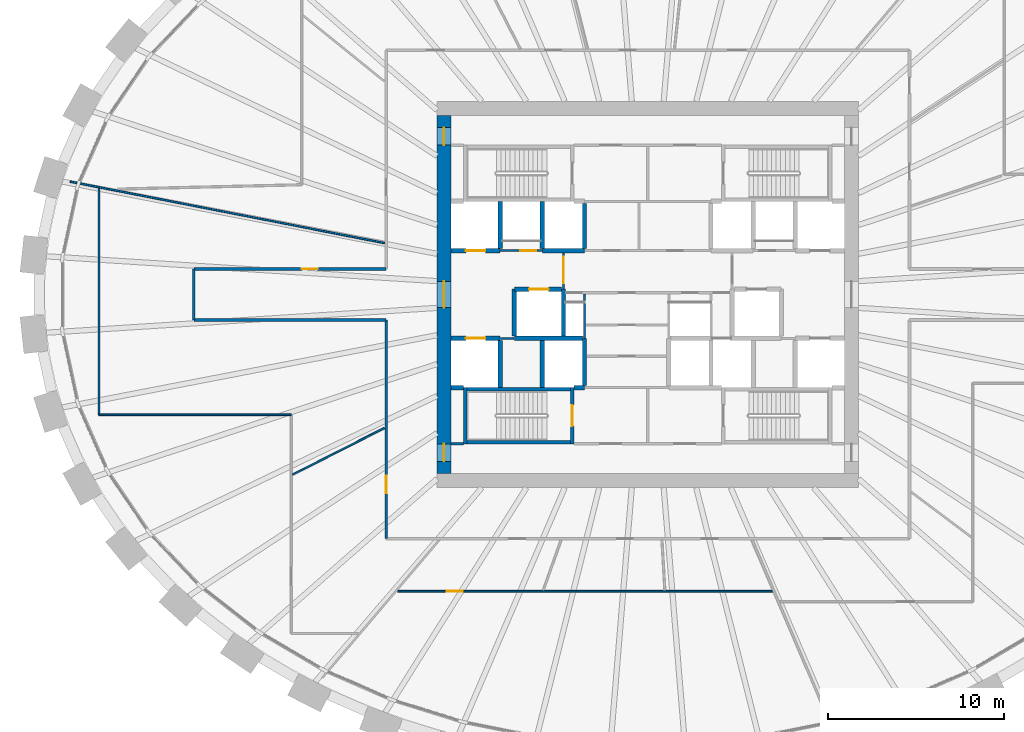
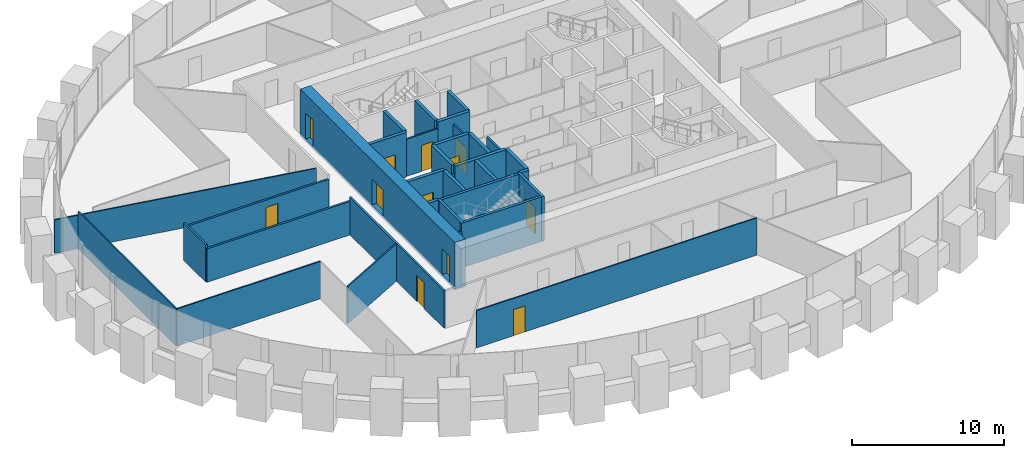
# One storey, part 6 of 11: 34 walls, 12 doors, 12 openings.
"""IFC4 building model written with IfcOpenShell, lengths in metres."""

from ifc_helpers import new_model, si_unit, direction, frame, frame_2d, origin, place, context, subcontext, project, spatial, rectangle, extrude, source, transform, mapped, material, layer, layer_set, type_object, element, fill, save


model = new_model("IFC4")

# Units and contexts
model_context = context("Model", 3, precision=1e-05, world=origin(), true_north=direction((0.0, 1.0)))
body_context = subcontext(model_context, "Body", "Model", "MODEL_VIEW")
ifc_project = project(units=[si_unit("LENGTHUNIT", "METRE"), si_unit("AREAUNIT", "SQUARE_METRE"), si_unit("VOLUMEUNIT", "CUBIC_METRE"), si_unit("PLANEANGLEUNIT", "RADIAN"), si_unit("MASSUNIT", "GRAM", prefix="KILO")], contexts=[model_context])

# Site, building, storey
site_placement = place(None, origin())
site = spatial("IfcSite", under=ifc_project, at=site_placement, CompositionType="ELEMENT")
building_placement = place(site_placement, origin())
building = spatial("IfcBuilding", under=site, at=building_placement, Name="Embergate Tower", CompositionType="ELEMENT")
storey_placement = place(building_placement, frame((0.0, 0.0, 230.699951171875)))
storey = spatial("IfcBuildingStorey", under=building, at=storey_placement, Name="L53", CompositionType="ELEMENT", Elevation=230.699951171875)

# Wall, openings, doors
ifc_material_1 = material(Name="Concrete C70", Category="concrete")
ifc_layer_1 = layer(ifc_material_1, 0.800048828125)
ifc_layer_set_1 = layer_set([ifc_layer_1], Name="Concrete C70")
wall_type_1 = type_object("IfcWallType", Name="Core outer wall C70 800", PredefinedType="SHEAR", material=ifc_layer_set_1)
shared_shape_1 = source(origin(), body_context, "Body", "SweptSolid", [
    extrude(rectangle(XDim=20.39990234375, YDim=0.800048828125, at=frame_2d((10.199951171875, 0.0))), origin(), (0.0, 0.0, 1.0), 3.800048828125),
])
wall_1_placement = place(storey_placement, frame((-11.60009765625, -10.199951171875, -0.199951171875), z_axis=(0.0, 0.0, 1.0), x_axis=(0.0, 1.0, 0.0)))
wall_1 = element("IfcWall", 1, at=wall_1_placement, inside=storey, type_object=wall_type_1, Name="CW-L53-W", PredefinedType="SHEAR", context=body_context, shape_type="MappedRepresentation", body=[
    mapped(shared_shape_1, transform((0.0, 0.0, 0.0))),
])
shared_shape_2 = source(origin(), body_context, "Body", "SweptSolid", [
    extrude(rectangle(XDim=1.0, YDim=2.10009765625, at=frame_2d((0.5, 1.050048828125))), frame((0.0, 0.409912109375, 0.0), z_axis=(0.0, -1.0, 0.0), x_axis=(1.0, 0.0, 0.0)), (0.0, 0.0, 1.0), 0.820068359375),
])
opening_1_placement = place(wall_1_placement, frame((18.699951171875, 0.0, 0.199951171875)))
opening_1 = element("IfcOpeningElement", 2, at=opening_1_placement, cuts=wall_1, Name="Opening IF-1d", PredefinedType="OPENING", context=body_context, shape_type="MappedRepresentation", body=[
    mapped(shared_shape_2, transform((0.0, 0.0, 0.0))),
])
opening_2_placement = place(wall_1_placement, frame((0.699951171875, 0.0, 0.199951171875)))
opening_2 = element("IfcOpeningElement", 3, at=opening_2_placement, cuts=wall_1, Name="Opening IF-1d", PredefinedType="OPENING", context=body_context, shape_type="MappedRepresentation", body=[
    mapped(shared_shape_2, transform((0.0, 0.0, 0.0))),
])
shared_shape_3 = source(origin(), body_context, "Body", "SweptSolid", [
    extrude(rectangle(XDim=1.5, YDim=2.10009765625, at=frame_2d((0.75, 1.050048828125))), frame((0.0, 0.409912109375, 0.0), z_axis=(0.0, -1.0, 0.0), x_axis=(1.0, 0.0, 0.0)), (0.0, 0.0, 1.0), 0.820068359375),
])
opening_3_placement = place(wall_1_placement, frame((9.449951171875, 0.0, 0.199951171875)))
opening_3 = element("IfcOpeningElement", 4, at=opening_3_placement, cuts=wall_1, Name="Opening IF-3", PredefinedType="OPENING", context=body_context, shape_type="MappedRepresentation", body=[
    mapped(shared_shape_3, transform((0.0, 0.0, 0.0))),
])
ifc_material_2 = material(Name="Lobby fire door pair 1500")
door_type_1 = type_object("IfcDoorType", Name="Lobby fire door pair 1500", OperationType="DOUBLE_DOOR_SINGLE_SWING", PredefinedType="DOOR", material=ifc_material_2)
shared_shape_4 = source(origin(), body_context, "Body", "SweptSolid", [
    extrude(rectangle(XDim=1.5, YDim=2.10009765625, at=frame_2d((0.75, 1.050048828125))), frame((0.0, 0.02490234375, 0.0), z_axis=(0.0, -1.0, 0.0), x_axis=(1.0, 0.0, 0.0)), (0.0, 0.0, 1.0), 0.050048828125),
])
door_1_placement = place(opening_3_placement, origin())
door_1 = element("IfcDoor", 5, at=door_1_placement, inside=storey, type_object=door_type_1, Name="IF-3 door", OperationType="DOUBLE_DOOR_SINGLE_SWING", OverallHeight=2.10009765625, OverallWidth=1.5, PredefinedType="DOOR", context=body_context, shape_type="MappedRepresentation", body=[
    mapped(shared_shape_4, transform((0.0, 0.0, 0.0))),
])
fill(opening_3, door_1)
ifc_material_3 = material(Name="Escape fire door 1000")
door_type_2 = type_object("IfcDoorType", Name="Escape fire door 1000", OperationType="SINGLE_SWING_LEFT", PredefinedType="DOOR", material=ifc_material_3)
shared_shape_5 = source(origin(), body_context, "Body", "SweptSolid", [
    extrude(rectangle(XDim=1.0, YDim=2.10009765625, at=frame_2d((0.5, 1.050048828125))), frame((0.0, 0.02490234375, 0.0), z_axis=(0.0, -1.0, 0.0), x_axis=(1.0, 0.0, 0.0)), (0.0, 0.0, 1.0), 0.050048828125),
])
door_2_placement = place(opening_1_placement, origin())
door_2 = element("IfcDoor", 6, at=door_2_placement, inside=storey, type_object=door_type_2, Name="IF-1 door", OperationType="SINGLE_SWING_RIGHT", OverallHeight=2.10009765625, OverallWidth=1.0, PredefinedType="DOOR", context=body_context, shape_type="MappedRepresentation", body=[
    mapped(shared_shape_5, transform((0.0, 0.0, 0.0))),
])
fill(opening_1, door_2)
door_3_placement = place(opening_2_placement, origin())
door_3 = element("IfcDoor", 7, at=door_3_placement, inside=storey, type_object=door_type_2, Name="IF-1 door", OperationType="SINGLE_SWING_RIGHT", OverallHeight=2.10009765625, OverallWidth=1.0, PredefinedType="DOOR", context=body_context, shape_type="MappedRepresentation", body=[
    mapped(shared_shape_5, transform((0.0, 0.0, 0.0))),
])
fill(opening_2, door_3)

# Walls
ifc_material_4 = material(Name="Concrete C50", Category="concrete")
ifc_layer_2 = layer(ifc_material_4, 0.25)
ifc_layer_set_2 = layer_set([ifc_layer_2], Name="Concrete C50")
wall_type_2 = type_object("IfcWallType", Name="Hoistway wall reinforced concrete 250", PredefinedType="SHEAR", material=ifc_layer_set_2)
shared_shape_6 = source(origin(), body_context, "Body", "SweptSolid", [
    extrude(rectangle(XDim=2.675048828125, YDim=0.25, at=frame_2d((1.33740234375, 0.0))), origin(), (0.0, 0.0, 1.0), 3.60009765625),
])
for number, where, z_axis, x_axis, name in (
    (8, (-8.39990234375, 2.625, 0.0), (0.0, 0.0, 1.0), (0.0, 1.0, 0.0), "HW-1 wall"),
    (9, (-6.0, 2.625, 0.0), (0.0, 0.0, 1.0), (0.0, 1.0, 0.0), "HW-1 wall"),
    (10, (-3.60009765625, -5.175048828125, 0.0), (0.0, 0.0, 1.0), (0.0, 1.0, 0.0), "HW-1 wall"),
    (11, (-4.800048828125, 0.300048828125, 0.0), (0.0, 0.0, 1.0), (0.0, -1.0, 0.0), "HW-1 wall"),
):
    element("IfcWall", number, at=place(storey_placement, frame(where, z_axis=z_axis, x_axis=x_axis)), inside=storey, type_object=wall_type_2, Name=name, PredefinedType="SHEAR", context=body_context, shape_type="MappedRepresentation", body=[
        mapped(shared_shape_6, transform((0.0, 0.0, 0.0))),
    ])

# Wall, opening, door
wall_2_placement = place(storey_placement, frame((-4.925048828125, 0.300048828125, 0.0), z_axis=(0.0, 0.0, 1.0), x_axis=(-1.0, 0.0, 0.0)))
wall_2 = element("IfcWall", 12, at=wall_2_placement, inside=storey, type_object=wall_type_2, Name="HW-1 wall", PredefinedType="SHEAR", context=body_context, shape_type="MappedRepresentation", body=[
    mapped(shared_shape_6, transform((0.0, 0.0, 0.0))),
])
shared_shape_7 = source(origin(), body_context, "Body", "SweptSolid", [
    extrude(rectangle(XDim=1.10009765625, YDim=2.10009765625, at=frame_2d((0.550048828125, 1.050048828125))), frame((0.0, 0.135009765625, 0.0), z_axis=(0.0, -1.0, 0.0), x_axis=(1.0, 0.0, 0.0)), (0.0, 0.0, 1.0), 0.27001953125),
])
opening_4_placement = place(wall_2_placement, frame((0.72509765625, 0.0, 0.0)))
opening_4 = element("IfcOpeningElement", 13, at=opening_4_placement, cuts=wall_2, Name="Opening LD", PredefinedType="OPENING", context=body_context, shape_type="MappedRepresentation", body=[
    mapped(shared_shape_7, transform((0.0, 0.0, 0.0))),
])
ifc_material_5 = material(Name="Landing door sliding 1100")
door_type_3 = type_object("IfcDoorType", Name="Landing door sliding 1100", OperationType="SLIDING_TO_LEFT", PredefinedType="DOOR", material=ifc_material_5)
shared_shape_8 = source(origin(), body_context, "Body", "SweptSolid", [
    extrude(rectangle(XDim=1.10009765625, YDim=2.10009765625, at=frame_2d((0.550048828125, 1.050048828125))), frame((0.0, 0.02490234375, 0.0), z_axis=(0.0, -1.0, 0.0), x_axis=(1.0, 0.0, 0.0)), (0.0, 0.0, 1.0), 0.050048828125),
])
door_4_placement = place(opening_4_placement, origin())
door_4 = element("IfcDoor", 14, at=door_4_placement, inside=storey, type_object=door_type_3, Name="LD door", OperationType="SLIDING_TO_LEFT", OverallHeight=2.10009765625, OverallWidth=1.10009765625, PredefinedType="DOOR", context=body_context, shape_type="MappedRepresentation", body=[
    mapped(shared_shape_8, transform((0.0, 0.0, 0.0))),
])
fill(opening_4, door_4)

# Walls
wall_3_placement = place(storey_placement, frame((-7.60009765625, 0.300048828125, 0.0), z_axis=(0.0, 0.0, 1.0), x_axis=(0.0, -1.0, 0.0)))
element("IfcWall", 15, at=wall_3_placement, inside=storey, type_object=wall_type_2, Name="HW-1 wall", PredefinedType="SHEAR", context=body_context, shape_type="MappedRepresentation", body=[
    mapped(shared_shape_6, transform((0.0, 0.0, 0.0))),
])
ifc_layer_3 = layer(ifc_material_4, 0.199951171875)
ifc_layer_set_3 = layer_set([ifc_layer_3], Name="Concrete C50")
wall_type_3 = type_object("IfcWallType", Name="Stair enclosure wall reinforced concrete 250", PredefinedType="SHEAR", material=ifc_layer_set_3)
shared_shape_9 = source(origin(), body_context, "Body", "SweptSolid", [
    extrude(rectangle(XDim=6.300048828125, YDim=0.199951171875, at=frame_2d((3.14990234375, 0.0))), origin(), (0.0, 0.0, 1.0), 3.60009765625),
])
for number, where, z_axis, x_axis, name in (
    (16, (-10.5, -5.39990234375, 0.0), (0.0, 0.0, 1.0), (1.0, 0.0, 0.0), "SE-1 wall"),
    (17, (-10.5, -8.39990234375, 0.0), (0.0, 0.0, 1.0), (1.0, 0.0, 0.0), "SE-1 wall"),
):
    element("IfcWall", number, at=place(storey_placement, frame(where, z_axis=z_axis, x_axis=x_axis)), inside=storey, type_object=wall_type_3, Name=name, PredefinedType="SHEAR", context=body_context, shape_type="MappedRepresentation", body=[
        mapped(shared_shape_9, transform((0.0, 0.0, 0.0))),
    ])
shared_shape_10 = source(origin(), body_context, "Body", "SweptSolid", [
    extrude(rectangle(XDim=2.550048828125, YDim=0.25, at=frame_2d((1.27490234375, 0.0))), origin(), (0.0, 0.0, 1.0), 3.60009765625),
])
wall_4_placement = place(storey_placement, frame((-3.60009765625, 2.625, 0.0), z_axis=(0.0, 0.0, 1.0), x_axis=(0.0, 1.0, 0.0)))
element("IfcWall", 18, at=wall_4_placement, inside=storey, type_object=wall_type_2, Name="HW-1 wall", PredefinedType="SHEAR", context=body_context, shape_type="MappedRepresentation", body=[
    mapped(shared_shape_10, transform((0.0, 0.0, 0.0))),
])

# Wall, opening, door
ifc_material_6 = material(Name="Core partition blockwork 120")
ifc_layer_4 = layer(ifc_material_6, 0.1201171875)
ifc_layer_set_4 = layer_set([ifc_layer_4], Name="Core partition blockwork 120")
wall_type_4 = type_object("IfcWallType", Name="Core partition blockwork 120", PredefinedType="PARTITIONING", material=ifc_layer_set_4)
shared_shape_11 = source(origin(), body_context, "Body", "SweptSolid", [
    extrude(rectangle(XDim=2.074951171875, YDim=0.1201171875, at=frame_2d((1.03759765625, 0.0))), origin(), (0.0, 0.0, 1.0), 3.0),
])
wall_5_placement = place(storey_placement, frame((-4.800048828125, 2.375, 0.0), z_axis=(0.0, 0.0, 1.0), x_axis=(0.0, -1.0, 0.0)))
wall_5 = element("IfcWall", 19, at=wall_5_placement, inside=storey, type_object=wall_type_4, Name="IP-3 wall", PredefinedType="PARTITIONING", context=body_context, shape_type="MappedRepresentation", body=[
    mapped(shared_shape_11, transform((0.0, 0.0, 0.0))),
])
shared_shape_12 = source(origin(), body_context, "Body", "SweptSolid", [
    extrude(rectangle(XDim=1.5, YDim=2.10009765625, at=frame_2d((0.75, 1.050048828125))), frame((0.0, 0.070068359375, 0.0), z_axis=(0.0, -1.0, 0.0), x_axis=(1.0, 0.0, 0.0)), (0.0, 0.0, 1.0), 0.14013671875),
])
opening_5_placement = place(wall_5_placement, frame((0.22509765625, 0.0, 0.0)))
opening_5 = element("IfcOpeningElement", 20, at=opening_5_placement, cuts=wall_5, Name="Opening IF-3", PredefinedType="OPENING", context=body_context, shape_type="MappedRepresentation", body=[
    mapped(shared_shape_12, transform((0.0, 0.0, 0.0))),
])
door_5_placement = place(opening_5_placement, origin())
door_5 = element("IfcDoor", 21, at=door_5_placement, inside=storey, type_object=door_type_1, Name="IF-3 door", OperationType="DOUBLE_DOOR_SINGLE_SWING", OverallHeight=2.10009765625, OverallWidth=1.5, PredefinedType="DOOR", context=body_context, shape_type="MappedRepresentation", body=[
    mapped(shared_shape_4, transform((0.0, 0.0, 0.0))),
])
fill(opening_5, door_5)

shared_shape_13 = source(origin(), body_context, "Body", "SweptSolid", [
    extrude(rectangle(XDim=3.199951171875, YDim=0.199951171875, at=frame_2d((1.60009765625, 0.0))), origin(), (0.0, 0.0, 1.0), 3.60009765625),
])
wall_6_placement = place(storey_placement, frame((-4.300048828125, -8.5, 0.0), z_axis=(0.0, 0.0, 1.0), x_axis=(0.0, 1.0, 0.0)))
wall_6 = element("IfcWall", 22, at=wall_6_placement, inside=storey, type_object=wall_type_3, Name="SE-1 wall", PredefinedType="SHEAR", context=body_context, shape_type="MappedRepresentation", body=[
    mapped(shared_shape_13, transform((0.0, 0.0, 0.0))),
])
shared_shape_14 = source(origin(), body_context, "Body", "SweptSolid", [
    extrude(rectangle(XDim=1.199951171875, YDim=2.10009765625, at=frame_2d((0.60009765625, 1.050048828125))), frame((0.0, 0.10986328125, 0.0), z_axis=(0.0, -1.0, 0.0), x_axis=(1.0, 0.0, 0.0)), (0.0, 0.0, 1.0), 0.219970703125),
])
opening_6_placement = place(wall_6_placement, frame((1.0, 0.0, 0.0)))
opening_6 = element("IfcOpeningElement", 23, at=opening_6_placement, cuts=wall_6, Name="Opening IF-2", PredefinedType="OPENING", context=body_context, shape_type="MappedRepresentation", body=[
    mapped(shared_shape_14, transform((0.0, 0.0, 0.0))),
])
ifc_material_7 = material(Name="Stair enclosure door 1200")
door_type_4 = type_object("IfcDoorType", Name="Stair enclosure door 1200", OperationType="SINGLE_SWING_LEFT", PredefinedType="DOOR", material=ifc_material_7)
shared_shape_15 = source(origin(), body_context, "Body", "SweptSolid", [
    extrude(rectangle(XDim=1.199951171875, YDim=2.10009765625, at=frame_2d((0.60009765625, 1.050048828125))), frame((0.0, 0.02490234375, 0.0), z_axis=(0.0, -1.0, 0.0), x_axis=(1.0, 0.0, 0.0)), (0.0, 0.0, 1.0), 0.050048828125),
])
door_6_placement = place(opening_6_placement, origin())
door_6 = element("IfcDoor", 24, at=door_6_placement, inside=storey, type_object=door_type_4, Name="IF-2 door", OperationType="SINGLE_SWING_LEFT", OverallHeight=2.10009765625, OverallWidth=1.199951171875, PredefinedType="DOOR", context=body_context, shape_type="MappedRepresentation", body=[
    mapped(shared_shape_15, transform((0.0, 0.0, 0.0))),
])
fill(opening_6, door_6)

# Wall
shared_shape_16 = source(origin(), body_context, "Body", "SweptSolid", [
    extrude(rectangle(XDim=2.39990234375, YDim=0.25, at=frame_2d((1.199951171875, 0.0))), origin(), (0.0, 0.0, 1.0), 3.60009765625),
])
wall_7_placement = place(storey_placement, frame((-6.0, 2.5, 0.0), z_axis=(0.0, 0.0, 1.0), x_axis=(1.0, 0.0, 0.0)))
element("IfcWall", 25, at=wall_7_placement, inside=storey, type_object=wall_type_2, Name="HW-1 wall", PredefinedType="SHEAR", context=body_context, shape_type="MappedRepresentation", body=[
    mapped(shared_shape_16, transform((0.0, 0.0, 0.0))),
])

# Wall, opening, door
shared_shape_17 = source(origin(), body_context, "Body", "SweptSolid", [
    extrude(rectangle(XDim=2.800048828125, YDim=0.25, at=frame_2d((1.39990234375, 0.0))), origin(), (0.0, 0.0, 1.0), 3.60009765625),
])
wall_8_placement = place(storey_placement, frame((-11.199951171875, 2.5, 0.0), z_axis=(0.0, 0.0, 1.0), x_axis=(1.0, 0.0, 0.0)))
wall_8 = element("IfcWall", 26, at=wall_8_placement, inside=storey, type_object=wall_type_2, Name="HW-1 wall", PredefinedType="SHEAR", context=body_context, shape_type="MappedRepresentation", body=[
    mapped(shared_shape_17, transform((0.0, 0.0, 0.0))),
])
opening_7_placement = place(wall_8_placement, frame((0.85009765625, 0.0, 0.0)))
opening_7 = element("IfcOpeningElement", 27, at=opening_7_placement, cuts=wall_8, Name="Opening LD", PredefinedType="OPENING", context=body_context, shape_type="MappedRepresentation", body=[
    mapped(shared_shape_7, transform((0.0, 0.0, 0.0))),
])
door_7_placement = place(opening_7_placement, origin())
door_7 = element("IfcDoor", 28, at=door_7_placement, inside=storey, type_object=door_type_3, Name="LD door", OperationType="SLIDING_TO_RIGHT", OverallHeight=2.10009765625, OverallWidth=1.10009765625, PredefinedType="DOOR", context=body_context, shape_type="MappedRepresentation", body=[
    mapped(shared_shape_8, transform((0.0, 0.0, 0.0))),
])
fill(opening_7, door_7)

wall_9_placement = place(storey_placement, frame((-8.39990234375, -2.5, 0.0), z_axis=(0.0, 0.0, 1.0), x_axis=(-1.0, 0.0, 0.0)))
wall_9 = element("IfcWall", 29, at=wall_9_placement, inside=storey, type_object=wall_type_2, Name="HW-1 wall", PredefinedType="SHEAR", context=body_context, shape_type="MappedRepresentation", body=[
    mapped(shared_shape_17, transform((0.0, 0.0, 0.0))),
])
opening_8_placement = place(wall_9_placement, frame((0.85009765625, 0.0, 0.0)))
opening_8 = element("IfcOpeningElement", 30, at=opening_8_placement, cuts=wall_9, Name="Opening LD", PredefinedType="OPENING", context=body_context, shape_type="MappedRepresentation", body=[
    mapped(shared_shape_7, transform((0.0, 0.0, 0.0))),
])
door_8_placement = place(opening_8_placement, origin())
door_8 = element("IfcDoor", 31, at=door_8_placement, inside=storey, type_object=door_type_3, Name="LD door", OperationType="SLIDING_TO_RIGHT", OverallHeight=2.10009765625, OverallWidth=1.10009765625, PredefinedType="DOOR", context=body_context, shape_type="MappedRepresentation", body=[
    mapped(shared_shape_8, transform((0.0, 0.0, 0.0))),
])
fill(opening_8, door_8)

shared_shape_18 = source(origin(), body_context, "Body", "SweptSolid", [
    extrude(rectangle(XDim=2.39990234375, YDim=0.1201171875, at=frame_2d((1.199951171875, 0.0))), origin(), (0.0, 0.0, 1.0), 3.0),
])
wall_10_placement = place(storey_placement, frame((-8.39990234375, 2.5, 0.0), z_axis=(0.0, 0.0, 1.0), x_axis=(1.0, 0.0, 0.0)))
wall_10 = element("IfcWall", 32, at=wall_10_placement, inside=storey, type_object=wall_type_4, Name="IP-3 wall", PredefinedType="PARTITIONING", context=body_context, shape_type="MappedRepresentation", body=[
    mapped(shared_shape_18, transform((0.0, 0.0, 0.0))),
])
shared_shape_19 = source(origin(), body_context, "Body", "SweptSolid", [
    extrude(rectangle(XDim=0.89990234375, YDim=2.10009765625, at=frame_2d((0.449951171875, 1.050048828125))), frame((0.0, 0.070068359375, 0.0), z_axis=(0.0, -1.0, 0.0), x_axis=(1.0, 0.0, 0.0)), (0.0, 0.0, 1.0), 0.14013671875),
])
opening_9_placement = place(wall_10_placement, frame((1.14990234375, 0.0, 0.0)))
opening_9 = element("IfcOpeningElement", 33, at=opening_9_placement, cuts=wall_10, Name="Opening ID-1", PredefinedType="OPENING", context=body_context, shape_type="MappedRepresentation", body=[
    mapped(shared_shape_19, transform((0.0, 0.0, 0.0))),
])
ifc_material_8 = material(Name="Interior door 900")
door_type_5 = type_object("IfcDoorType", Name="Interior door 900", OperationType="SINGLE_SWING_LEFT", PredefinedType="DOOR", material=ifc_material_8)
shared_shape_20 = source(origin(), body_context, "Body", "SweptSolid", [
    extrude(rectangle(XDim=0.89990234375, YDim=2.10009765625, at=frame_2d((0.449951171875, 1.050048828125))), frame((0.0, 0.02490234375, 0.0), z_axis=(0.0, -1.0, 0.0), x_axis=(1.0, 0.0, 0.0)), (0.0, 0.0, 1.0), 0.050048828125),
])
door_9_placement = place(opening_9_placement, origin())
door_9 = element("IfcDoor", 34, at=door_9_placement, inside=storey, type_object=door_type_5, Name="ID-1 door", OperationType="SINGLE_SWING_RIGHT", OverallHeight=2.10009765625, OverallWidth=0.89990234375, PredefinedType="DOOR", context=body_context, shape_type="MappedRepresentation", body=[
    mapped(shared_shape_20, transform((0.0, 0.0, 0.0))),
])
fill(opening_9, door_9)

# Walls
shared_shape_21 = source(origin(), body_context, "Body", "SweptSolid", [
    extrude(rectangle(XDim=0.599853515625, YDim=0.25, at=frame_2d((0.2998046875, 0.0))), origin(), (0.0, 0.0, 1.0), 3.60009765625),
])
wall_11_placement = place(storey_placement, frame((-4.199951171875, -5.300048828125, 0.0), z_axis=(0.0, 0.0, 1.0), x_axis=(1.0, 0.0, 0.0)))
element("IfcWall", 35, at=wall_11_placement, inside=storey, type_object=wall_type_2, Name="HW-1 wall", PredefinedType="SHEAR", context=body_context, shape_type="MappedRepresentation", body=[
    mapped(shared_shape_21, transform((0.0, 0.0, 0.0))),
])
shared_shape_22 = source(origin(), body_context, "Body", "SweptSolid", [
    extrude(rectangle(XDim=3.872802734375, YDim=0.25, at=frame_2d((1.9365234375, 0.0))), origin(), (0.0, 0.0, 1.0), 3.60009765625),
])
wall_12_placement = place(storey_placement, frame((-3.72509765625, -2.5, 0.0), z_axis=(0.0, 0.0, 1.0), x_axis=(-1.0, 0.0, 0.0)))
element("IfcWall", 36, at=wall_12_placement, inside=storey, type_object=wall_type_2, Name="HW-1 wall", PredefinedType="SHEAR", context=body_context, shape_type="MappedRepresentation", body=[
    mapped(shared_shape_22, transform((0.0, 0.0, 0.0))),
])
shared_shape_23 = source(origin(), body_context, "Body", "SweptSolid", [
    extrude(rectangle(XDim=2.5400390625, YDim=0.1201171875, at=frame_2d((1.27001953125, 0.0))), origin(), (0.0, 0.0, 1.0), 3.0),
])
wall_13_placement = place(storey_placement, frame((-3.60009765625, -2.5, 0.0), z_axis=(0.0, 0.0, 1.0), x_axis=(0.0, 1.0, 0.0)))
element("IfcWall", 37, at=wall_13_placement, inside=storey, type_object=wall_type_4, Name="IP-3 wall", PredefinedType="PARTITIONING", context=body_context, shape_type="MappedRepresentation", body=[
    mapped(shared_shape_23, transform((0.0, 0.0, 0.0))),
])
shared_shape_24 = source(origin(), body_context, "Body", "SweptSolid", [
    extrude(rectangle(XDim=3.196044921875, YDim=0.199951171875, at=frame_2d((1.59814453125, 0.0))), origin(), (0.0, 0.0, 1.0), 3.60009765625),
])
wall_14_placement = place(storey_placement, frame((-10.39990234375, -5.302001953125, 0.0), z_axis=(0.0, 0.0, 1.0), x_axis=(0.0, -1.0, 0.0)))
element("IfcWall", 38, at=wall_14_placement, inside=storey, type_object=wall_type_3, Name="SE-1 wall", PredefinedType="SHEAR", context=body_context, shape_type="MappedRepresentation", body=[
    mapped(shared_shape_24, transform((0.0, 0.0, 0.0))),
])
shared_shape_25 = source(origin(), body_context, "Body", "SweptSolid", [
    extrude(rectangle(XDim=0.697998046875, YDim=0.25, at=frame_2d((0.34912109375, 0.0))), origin(), (0.0, 0.0, 1.0), 3.60009765625),
])
wall_15_placement = place(storey_placement, frame((-11.199951171875, -5.300048828125, 0.0), z_axis=(0.0, 0.0, 1.0), x_axis=(1.0, 0.0, 0.0)))
element("IfcWall", 39, at=wall_15_placement, inside=storey, type_object=wall_type_2, Name="HW-1 wall", PredefinedType="SHEAR", context=body_context, shape_type="MappedRepresentation", body=[
    mapped(shared_shape_25, transform((0.0, 0.0, 0.0))),
])
shared_shape_26 = source(origin(), body_context, "Body", "SweptSolid", [
    extrude(rectangle(XDim=2.671142578125, YDim=0.25, at=frame_2d((1.33544921875, 0.0))), origin(), (0.0, 0.0, 1.0), 3.60009765625),
])
for number, where, z_axis, x_axis, name in (
    (40, (-8.39990234375, -5.298095703125, 0.0), (0.0, 0.0, 1.0), (0.0, 1.0, 0.0), "HW-1 wall"),
    (41, (-6.0, -2.626953125, 0.0), (0.0, 0.0, 1.0), (0.0, -1.0, 0.0), "HW-1 wall"),
):
    element("IfcWall", number, at=place(storey_placement, frame(where, z_axis=z_axis, x_axis=x_axis)), inside=storey, type_object=wall_type_2, Name=name, PredefinedType="SHEAR", context=body_context, shape_type="MappedRepresentation", body=[
        mapped(shared_shape_26, transform((0.0, 0.0, 0.0))),
    ])
shared_shape_27 = source(origin(), body_context, "Body", "SweptSolid", [
    extrude(rectangle(XDim=0.7958984375, YDim=0.1201171875, at=frame_2d((0.39794921875, 0.0))), origin(), (0.0, 0.0, 1.0), 3.0),
])
wall_16_placement = place(storey_placement, frame((-8.39794921875, -2.5, 0.0), z_axis=(0.0, 0.0, 1.0), x_axis=(1.0, 0.0, 0.0)))
element("IfcWall", 42, at=wall_16_placement, inside=storey, type_object=wall_type_4, Name="IP-3 wall", PredefinedType="PARTITIONING", context=body_context, shape_type="MappedRepresentation", body=[
    mapped(shared_shape_27, transform((0.0, 0.0, 0.0))),
])
shared_shape_28 = source(origin(), body_context, "Body", "SweptSolid", [
    extrude(rectangle(XDim=0.697998046875, YDim=0.1201171875, at=frame_2d((0.34912109375, 0.0))), origin(), (0.0, 0.0, 1.0), 3.0),
])
wall_17_placement = place(storey_placement, frame((-10.501953125, -8.5, 0.0), z_axis=(0.0, 0.0, 1.0), x_axis=(-1.0, 0.0, 0.0)))
element("IfcWall", 43, at=wall_17_placement, inside=storey, type_object=wall_type_4, Name="IP-3 wall", PredefinedType="PARTITIONING", context=body_context, shape_type="MappedRepresentation", body=[
    mapped(shared_shape_28, transform((0.0, 0.0, 0.0))),
])
ifc_material_9 = material(Name="Partition dry-lined 100")
ifc_layer_5 = layer(ifc_material_9, 0.10009765625)
ifc_layer_set_5 = layer_set([ifc_layer_5], Name="Partition dry-lined 100")
wall_type_5 = type_object("IfcWallType", Name="Partition dry-lined 100", PredefinedType="PARTITIONING", material=ifc_layer_set_5)
shared_shape_29 = source(origin(), body_context, "Body", "SweptSolid", [
    extrude(rectangle(XDim=10.949951171875, YDim=0.10009765625, at=frame_2d((5.47509765625, 0.0))), origin(), (0.0, 0.0, 1.0), 3.0),
])
wall_18_placement = place(storey_placement, frame((-20.300048828125, -6.85009765625, 0.0), z_axis=(0.0, 0.0, 1.0), x_axis=(-1.0, 0.0, 0.0)))
element("IfcWall", 44, at=wall_18_placement, inside=storey, type_object=wall_type_5, Name="IP-1 wall", PredefinedType="PARTITIONING", context=body_context, shape_type="MappedRepresentation", body=[
    mapped(shared_shape_29, transform((0.0, 0.0, 0.0))),
])

# Wall, opening, door
ifc_material_10 = material(Name="Corridor wall dry-lined 150")
ifc_layer_6 = layer(ifc_material_10, 0.14990234375)
ifc_layer_set_6 = layer_set([ifc_layer_6], Name="Corridor wall dry-lined 150")
wall_type_6 = type_object("IfcWallType", Name="Corridor wall dry-lined 150", PredefinedType="PARTITIONING", material=ifc_layer_set_6)
shared_shape_30 = source(origin(), body_context, "Body", "SweptSolid", [
    extrude(rectangle(XDim=12.449951171875, YDim=0.14990234375, at=frame_2d((6.22509765625, 0.0))), origin(), (0.0, 0.0, 1.0), 3.0),
])
wall_19_placement = place(storey_placement, frame((-14.89990234375, -13.89990234375, 0.0), z_axis=(0.0, 0.0, 1.0), x_axis=(0.0, 1.0, 0.0)))
wall_19 = element("IfcWall", 45, at=wall_19_placement, inside=storey, type_object=wall_type_6, Name="IP-2 wall", PredefinedType="PARTITIONING", context=body_context, shape_type="MappedRepresentation", body=[
    mapped(shared_shape_30, transform((0.0, 0.0, 0.0))),
])
shared_shape_31 = source(origin(), body_context, "Body", "SweptSolid", [
    extrude(rectangle(XDim=1.0, YDim=2.10009765625, at=frame_2d((0.5, 1.050048828125))), frame((0.0, 0.0849609375, 0.0), z_axis=(0.0, -1.0, 0.0), x_axis=(1.0, 0.0, 0.0)), (0.0, 0.0, 1.0), 0.169921875),
])
opening_10_placement = place(wall_19_placement, frame((2.576904296875, 0.0, 0.0)))
opening_10 = element("IfcOpeningElement", 46, at=opening_10_placement, cuts=wall_19, Name="Opening ID-2", PredefinedType="OPENING", context=body_context, shape_type="MappedRepresentation", body=[
    mapped(shared_shape_31, transform((0.0, 0.0, 0.0))),
])
ifc_material_11 = material(Name="Interior door 1000")
door_type_6 = type_object("IfcDoorType", Name="Interior door 1000", OperationType="SINGLE_SWING_LEFT", PredefinedType="DOOR", material=ifc_material_11)
door_10_placement = place(opening_10_placement, origin())
door_10 = element("IfcDoor", 47, at=door_10_placement, inside=storey, type_object=door_type_6, Name="ID-2 door", OperationType="SINGLE_SWING_LEFT", OverallHeight=2.10009765625, OverallWidth=1.0, PredefinedType="DOOR", context=body_context, shape_type="MappedRepresentation", body=[
    mapped(shared_shape_5, transform((0.0, 0.0, 0.0))),
])
fill(opening_10, door_10)

# Wall
shared_shape_32 = source(origin(), body_context, "Body", "SweptSolid", [
    extrude(rectangle(XDim=10.9501953125, YDim=0.14990234375, at=frame_2d((5.47509765625, 0.0))), origin(), (0.0, 0.0, 1.0), 2.699951171875),
])
wall_20_placement = place(storey_placement, frame((-14.89990234375, -1.449951171875, 0.0), z_axis=(0.0, 0.0, 1.0), x_axis=(-1.0, 0.0, 0.0)))
element("IfcWall", 48, at=wall_20_placement, inside=storey, type_object=wall_type_6, Name="IP-2 wall", PredefinedType="PARTITIONING", context=body_context, shape_type="MappedRepresentation", body=[
    mapped(shared_shape_32, transform((0.0, 0.0, 0.0))),
])

# Wall, opening, door
wall_21_placement = place(storey_placement, frame((-25.85009765625, 1.449951171875, 0.0), z_axis=(0.0, 0.0, 1.0), x_axis=(1.0, 0.0, 0.0)))
wall_21 = element("IfcWall", 49, at=wall_21_placement, inside=storey, type_object=wall_type_6, Name="IP-2 wall", PredefinedType="PARTITIONING", context=body_context, shape_type="MappedRepresentation", body=[
    mapped(shared_shape_32, transform((0.0, 0.0, 0.0))),
])
shared_shape_33 = source(origin(), body_context, "Body", "SweptSolid", [
    extrude(rectangle(XDim=0.89990234375, YDim=2.10009765625, at=frame_2d((0.449951171875, 1.050048828125))), frame((0.0, 0.0849609375, 0.0), z_axis=(0.0, -1.0, 0.0), x_axis=(1.0, 0.0, 0.0)), (0.0, 0.0, 1.0), 0.169921875),
])
opening_11_placement = place(wall_21_placement, frame((6.158935546875, 0.0, 0.0)))
opening_11 = element("IfcOpeningElement", 50, at=opening_11_placement, cuts=wall_21, Name="Opening IF-1c", PredefinedType="OPENING", context=body_context, shape_type="MappedRepresentation", body=[
    mapped(shared_shape_33, transform((0.0, 0.0, 0.0))),
])
ifc_material_12 = material(Name="Escape fire door 900")
door_type_7 = type_object("IfcDoorType", Name="Escape fire door 900", OperationType="SINGLE_SWING_LEFT", PredefinedType="DOOR", material=ifc_material_12)
door_11_placement = place(opening_11_placement, origin())
door_11 = element("IfcDoor", 51, at=door_11_placement, inside=storey, type_object=door_type_7, Name="IF-1 door", OperationType="SINGLE_SWING_LEFT", OverallHeight=2.10009765625, OverallWidth=0.89990234375, PredefinedType="DOOR", context=body_context, shape_type="MappedRepresentation", body=[
    mapped(shared_shape_20, transform((0.0, 0.0, 0.0))),
])
fill(opening_11, door_11)

# Wall
shared_shape_34 = source(origin(), body_context, "Body", "SweptSolid", [
    extrude(rectangle(XDim=2.89990234375, YDim=0.14990234375, at=frame_2d((1.449951171875, 0.0))), origin(), (0.0, 0.0, 1.0), 3.0),
])
wall_22_placement = place(storey_placement, frame((-25.85009765625, -1.449951171875, 0.0), z_axis=(0.0, 0.0, 1.0), x_axis=(0.0, 1.0, 0.0)))
element("IfcWall", 52, at=wall_22_placement, inside=storey, type_object=wall_type_6, Name="IP-2 wall", PredefinedType="PARTITIONING", context=body_context, shape_type="MappedRepresentation", body=[
    mapped(shared_shape_34, transform((0.0, 0.0, 0.0))),
])

# Wall, opening, door
ifc_material_13 = material(Name="Partition dry-lined 100 wet")
ifc_layer_7 = layer(ifc_material_13, 0.10009765625)
ifc_layer_set_7 = layer_set([ifc_layer_7], Name="Partition dry-lined 100 wet")
wall_type_7 = type_object("IfcWallType", Name="Partition dry-lined 100 wet", PredefinedType="PLUMBINGWALL", material=ifc_layer_set_7)
shared_shape_35 = source(origin(), body_context, "Body", "SweptSolid", [
    extrude(rectangle(XDim=21.35302734375, YDim=0.10009765625, at=frame_2d((10.676513671875, 0.0))), origin(), (0.0, 0.0, 1.0), 3.0),
])
wall_23_placement = place(storey_placement, frame((-14.241943359375, -16.89990234375, 0.0), z_axis=(0.0, 0.0, 1.0), x_axis=(1.0, 0.0, 0.0)))
wall_23 = element("IfcWall", 53, at=wall_23_placement, inside=storey, type_object=wall_type_7, Name="IP-1 wall", PredefinedType="PLUMBINGWALL", context=body_context, shape_type="MappedRepresentation", body=[
    mapped(shared_shape_35, transform((0.0, 0.0, 0.0))),
])
shared_shape_36 = source(origin(), body_context, "Body", "SweptSolid", [
    extrude(rectangle(XDim=0.89990234375, YDim=2.10009765625, at=frame_2d((0.449951171875, 1.050048828125))), frame((0.0, 0.06005859375, 0.0), z_axis=(0.0, -1.0, 0.0), x_axis=(1.0, 0.0, 0.0)), (0.0, 0.0, 1.0), 0.1201171875),
])
opening_12_placement = place(wall_23_placement, frame((2.806396484375, 0.0, 0.0)))
opening_12 = element("IfcOpeningElement", 54, at=opening_12_placement, cuts=wall_23, Name="Opening ID-1", PredefinedType="OPENING", context=body_context, shape_type="MappedRepresentation", body=[
    mapped(shared_shape_36, transform((0.0, 0.0, 0.0))),
])
door_12_placement = place(opening_12_placement, origin())
door_12 = element("IfcDoor", 55, at=door_12_placement, inside=storey, type_object=door_type_5, Name="ID-1 door", OperationType="SINGLE_SWING_LEFT", OverallHeight=2.10009765625, OverallWidth=0.89990234375, PredefinedType="DOOR", context=body_context, shape_type="MappedRepresentation", body=[
    mapped(shared_shape_20, transform((0.0, 0.0, 0.0))),
])
fill(opening_12, door_12)

# Walls
shared_shape_37 = source(origin(), body_context, "Body", "SweptSolid", [
    extrude(rectangle(XDim=18.251953125, YDim=0.10009765625, at=frame_2d((9.1259765625, 0.0))), origin(), (0.0, 0.0, 1.0), 2.699951171875),
])
wall_24_placement = place(storey_placement, frame((-32.89794921875, 6.430908203125, 0.0), z_axis=(0.0, 0.0, 1.0), x_axis=(0.98142086384, -0.191867370908, 0.0)))
element("IfcWall", 56, at=wall_24_placement, inside=storey, type_object=wall_type_5, Name="IP-1 wall", PredefinedType="PARTITIONING", context=body_context, shape_type="MappedRepresentation", body=[
    mapped(shared_shape_37, transform((0.0, 0.0, 0.0))),
])
shared_shape_38 = source(origin(), body_context, "Body", "SweptSolid", [
    extrude(rectangle(XDim=5.863525390625, YDim=0.10009765625, at=frame_2d((2.931640625, 0.0))), origin(), (0.0, 0.0, 1.0), 3.0),
])
wall_25_placement = place(storey_placement, frame((-14.998046875, -7.60595703125, 0.0), z_axis=(0.0, 0.0, 1.0), x_axis=(-0.891780251678, -0.452468764356, 0.0)))
element("IfcWall", 57, at=wall_25_placement, inside=storey, type_object=wall_type_5, Name="IP-1 wall", PredefinedType="PARTITIONING", context=body_context, shape_type="MappedRepresentation", body=[
    mapped(shared_shape_38, transform((0.0, 0.0, 0.0))),
])
shared_shape_39 = source(origin(), body_context, "Body", "SweptSolid", [
    extrude(rectangle(XDim=12.899169921875, YDim=0.10009765625, at=frame_2d((6.44970703125, 0.0))), origin(), (0.0, 0.0, 1.0), 3.0),
])
wall_26_placement = place(storey_placement, frame((-31.25, -6.85009765625, 0.0), z_axis=(0.0, 0.0, 1.0), x_axis=(0.0, 1.0, 0.0)))
element("IfcWall", 58, at=wall_26_placement, inside=storey, type_object=wall_type_5, Name="IP-1 wall", PredefinedType="PARTITIONING", context=body_context, shape_type="MappedRepresentation", body=[
    mapped(shared_shape_39, transform((0.0, 0.0, 0.0))),
])

save(model, "model.ifc")
